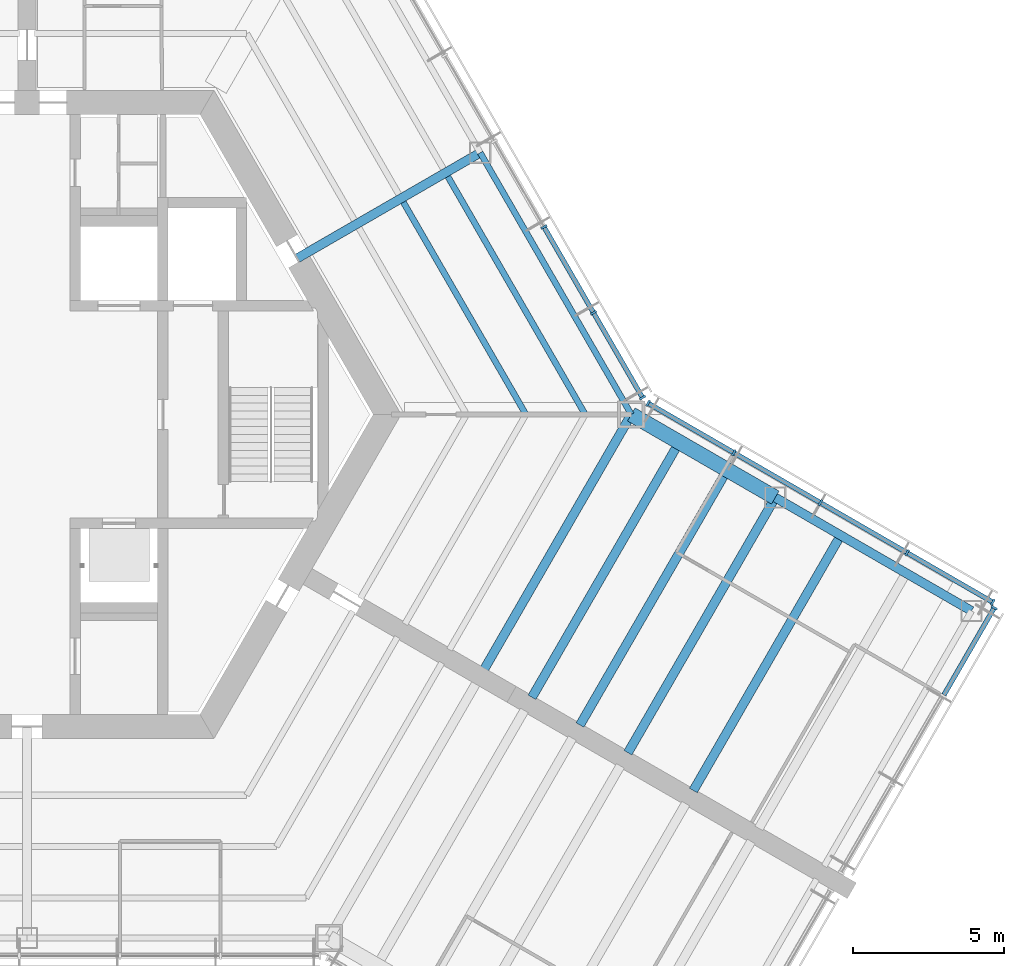
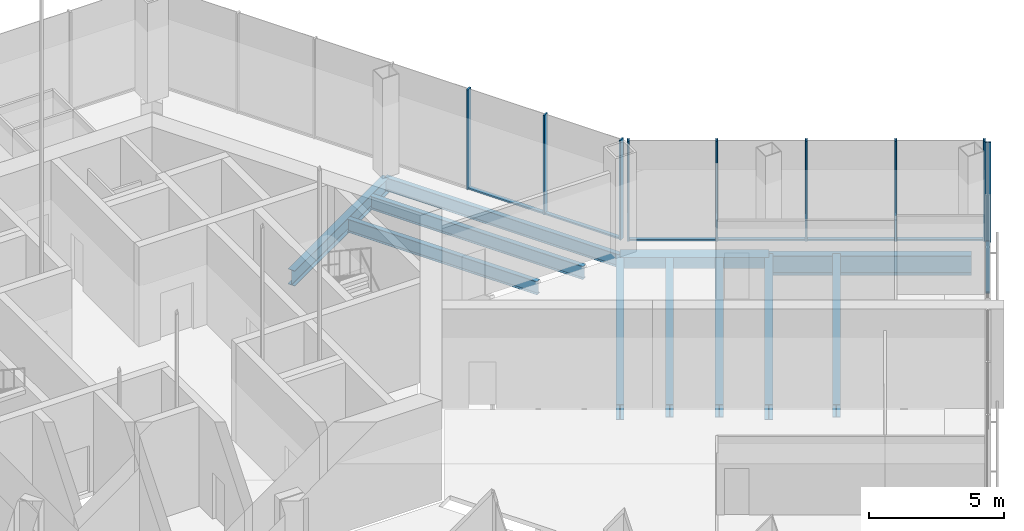
# One storey, part 4 of 17: 16 members, 11 beams, 3 elements without a shape of their own.
"""IFC4 building model written with IfcOpenShell, lengths in metres."""

from ifc_helpers import new_model, si_unit, direction, frame, origin, origin_2d, place, context, subcontext, project, spatial, rectangle, hollow_rectangle, i_section, extrude, material, material_profile, profile_set, type_object, element, aggregate, save


model = new_model("IFC4")

# Units and contexts
model_context = context("Model", 3, precision=1e-05, world=origin(), true_north=direction((0.0, 1.0)))
body_context = subcontext(model_context, "Body", "Model", "MODEL_VIEW")
ifc_project = project(units=[si_unit("LENGTHUNIT", "METRE"), si_unit("AREAUNIT", "SQUARE_METRE"), si_unit("VOLUMEUNIT", "CUBIC_METRE"), si_unit("PLANEANGLEUNIT", "RADIAN"), si_unit("MASSUNIT", "GRAM", prefix="KILO")], contexts=[model_context])

# Site, building, storey
site_placement = place(None, origin())
site = spatial("IfcSite", under=ifc_project, at=site_placement, CompositionType="ELEMENT")
building_placement = place(site_placement, origin())
building = spatial("IfcBuilding", under=site, at=building_placement, Name="Kasaneha Research Tower", CompositionType="ELEMENT")
storey_placement = place(building_placement, frame((0.0, 0.0, 208.300048828125)))
storey = spatial("IfcBuildingStorey", under=building, at=storey_placement, Name="L52", CompositionType="ELEMENT", Elevation=208.300048828125)

# Beams
ifc_material_1 = material(Name="Steel SN490B", Category="steel")
ifc_material_profile_1 = material_profile(ifc_material_1, i_section(OverallWidth=0.199951171875, OverallDepth=0.60009765625, WebThickness=0.010986328125, FlangeThickness=0.01708984375, FilletRadius=0.012939453125, at=origin_2d()), Name="H-600x200x11x17")
ifc_profile_set_1 = profile_set([ifc_material_profile_1], Name="Steel SN490B")
beam_type_1 = type_object("IfcBeamType", Name="B1-4 secondary beam H-600x200x11x17", PredefinedType="JOIST", material=ifc_profile_set_1)
beam_1_placement = place(storey_placement, frame((16.51220703125, 0.0, -0.5), z_axis=(-0.49999707157, 0.866027094508, 0.0), x_axis=(-0.866027094508, -0.49999707157, 0.0)))
element("IfcBeam", 1, at=beam_1_placement, inside=storey, type_object=beam_type_1, Name="Secondary beam RS030L2 L52", PredefinedType="JOIST", context=body_context, shape_type="SweptSolid", body=[
    extrude(i_section(OverallWidth=0.199951171875, OverallDepth=0.60009765625, WebThickness=0.010986328125, FlangeThickness=0.01708984375, FilletRadius=0.012939453125, at=origin_2d()), origin(), (0.0, 0.0, 1.0), 8.10595703125),
])
beam_2_placement = place(storey_placement, frame((18.47509765625, 0.0, -0.5), z_axis=(-0.499990665392, 0.866030793056, 0.0), x_axis=(-0.866030793056, -0.499990665392, 0.0)))
element("IfcBeam", 2, at=beam_2_placement, inside=storey, type_object=beam_type_1, Name="Secondary beam RS030L3 L52", PredefinedType="JOIST", context=body_context, shape_type="SweptSolid", body=[
    extrude(i_section(OverallWidth=0.199951171875, OverallDepth=0.60009765625, WebThickness=0.010986328125, FlangeThickness=0.01708984375, FilletRadius=0.012939453125, at=origin_2d()), origin(), (0.0, 0.0, 1.0), 9.087646484375),
])
ifc_material_2 = material(Name="Steel SN490B", Category="steel")
ifc_material_profile_2 = material_profile(ifc_material_2, i_section(OverallWidth=0.300048828125, OverallDepth=0.58203125, WebThickness=0.011962890625, FlangeThickness=0.01708984375, FilletRadius=0.012939453125, at=origin_2d()), Name="H-582x300x12x17")
ifc_profile_set_2 = profile_set([ifc_material_profile_2], Name="Steel SN490B")
beam_type_2 = type_object("IfcBeamType", Name="B2-4 secondary beam H-582x300x12x17", PredefinedType="JOIST", material=ifc_profile_set_2)
beam_3_placement = place(storey_placement, frame((21.587646484375, -0.916748046875, -0.490966796875), z_axis=(-0.500006402939, -0.866021707014, 0.0), x_axis=(0.866021707014, -0.500006402939, 0.0)))
element("IfcBeam", 3, at=beam_3_placement, inside=storey, type_object=beam_type_2, Name="Secondary beam WBCN1 L52", PredefinedType="JOIST", context=body_context, shape_type="SweptSolid", body=[
    extrude(i_section(OverallWidth=0.300048828125, OverallDepth=0.58203125, WebThickness=0.011962890625, FlangeThickness=0.01708984375, FilletRadius=0.012939453125, at=origin_2d()), origin(), (0.0, 0.0, 1.0), 9.749755859375),
])
for number, where, z_axis, x_axis, name in (
    (4, (23.175537109375, -1.833251953125, -0.490966796875), (-0.499995560238, -0.866027967067, 0.0), (0.866027967067, -0.499995560238, 0.0), "Secondary beam WBCN2 L52"),
    (5, (26.92822265625, -4.0, -0.490966796875), (-0.499995560238, -0.866027967067, 0.0), (0.866027967067, -0.499995560238, 0.0), "Secondary beam WBCN3 L52"),
):
    element("IfcBeam", number, at=place(storey_placement, frame(where, z_axis=z_axis, x_axis=x_axis)), inside=storey, type_object=beam_type_2, Name=name, PredefinedType="JOIST", context=body_context, shape_type="SweptSolid", body=[
        extrude(i_section(OverallWidth=0.300048828125, OverallDepth=0.58203125, WebThickness=0.011962890625, FlangeThickness=0.01708984375, FilletRadius=0.012939453125, at=origin_2d()), origin(), (0.0, 0.0, 1.0), 9.75),
    ])
ifc_material_3 = material(Name="Steel SN490B", Category="steel")
ifc_material_profile_3 = material_profile(ifc_material_3, hollow_rectangle(XDim=0.5, YDim=0.5, WallThickness=0.02197265625, at=origin_2d()), Name="BOX-500x500x22")
ifc_profile_set_3 = profile_set([ifc_material_profile_3], Name="Steel SN490B")
beam_type_3 = type_object("IfcBeamType", Name="BC1-4 belt chord BOX-500x500x22", PredefinedType="BEAM", material=ifc_profile_set_3)
beam_4_placement = place(storey_placement, frame((20.0, 0.0, -0.449951171875), z_axis=(0.866027397988, -0.499996545922, 0.0), x_axis=(0.499996545922, 0.866027397988, 0.0)))
element("IfcBeam", 6, at=beam_4_placement, inside=storey, type_object=beam_type_3, Name="Belt chord WSCN1 L52", PredefinedType="BEAM", context=body_context, shape_type="SweptSolid", body=[
    extrude(hollow_rectangle(XDim=0.5, YDim=0.5, WallThickness=0.02197265625, at=origin_2d()), origin(), (0.0, 0.0, 1.0), 5.5),
])

# Curtain wall, members
ifc_material_4 = material(Name="Glass and aluminium", Category="aluminium")
curtain_wall_type = type_object("IfcCurtainWallType", Name="Sky lobby curtain wall", PredefinedType="USERDEFINED", material=ifc_material_4)
curtain_wall_1_placement = place(storey_placement, origin())
curtain_wall_1 = element("IfcCurtainWall", 7, at=curtain_wall_1_placement, inside=storey, type_object=curtain_wall_type, Name="CW-S L52 run 01a", ObjectType="UNITISED CURTAIN WALL", PredefinedType="USERDEFINED")
ifc_material_5 = material(Name="Aluminium 6063-T6", Category="aluminium")
ifc_material_profile_4 = material_profile(ifc_material_5, rectangle(XDim=0.070068359375, YDim=0.219970703125, at=origin_2d()), Name="CW-S mullion 70x220")
ifc_profile_set_4 = profile_set([ifc_material_profile_4], Name="Aluminium 6063-T6")
member_type_1 = type_object("IfcMemberType", Name="CW-S mullion", PredefinedType="MULLION", material=ifc_profile_set_4)
member_1_placement = place(storey_placement, frame((20.371826171875, 0.55615234375, 0.0), z_axis=(0.0, 0.0, 1.0), x_axis=(-0.499999979232, 0.866025415775, 0.0)))
member_1 = element("IfcMember", 8, at=member_1_placement, type_object=member_type_1, Name="CW-S mullion 1", PredefinedType="MULLION", context=body_context, shape_type="SweptSolid", body=[
    extrude(rectangle(XDim=0.070068359375, YDim=0.219970703125, at=origin_2d()), origin(), (0.0, 0.0, 1.0), 4.5),
])
member_2_placement = place(storey_placement, frame((18.750244140625, 3.36474609375, 0.0), z_axis=(0.0, 0.0, 1.0), x_axis=(-0.499999979232, 0.866025415775, 0.0)))
member_2 = element("IfcMember", 9, at=member_2_placement, type_object=member_type_1, Name="CW-S mullion 2", PredefinedType="MULLION", context=body_context, shape_type="SweptSolid", body=[
    extrude(rectangle(XDim=0.070068359375, YDim=0.219970703125, at=origin_2d()), origin(), (0.0, 0.0, 1.0), 4.5),
])
member_3_placement = place(storey_placement, frame((17.111328125, 6.203369140625, 0.0), z_axis=(0.0, 0.0, 1.0), x_axis=(-0.499999979232, 0.866025415775, 0.0)))
member_3 = element("IfcMember", 10, at=member_3_placement, type_object=member_type_1, Name="CW-S mullion 3", PredefinedType="MULLION", context=body_context, shape_type="SweptSolid", body=[
    extrude(rectangle(XDim=0.070068359375, YDim=0.219970703125, at=origin_2d()), origin(), (0.0, 0.0, 1.0), 4.5),
])

# Curtain wall, member
curtain_wall_2_placement = place(storey_placement, origin())
curtain_wall_2 = element("IfcCurtainWall", 11, at=curtain_wall_2_placement, inside=storey, type_object=curtain_wall_type, Name="CW-S L52 run 08a", ObjectType="UNITISED CURTAIN WALL", PredefinedType="USERDEFINED")
member_4_placement = place(storey_placement, frame((32.010498046875, -6.397216796875, 0.0), z_axis=(0.0, 0.0, 1.0), x_axis=(0.500000011442, 0.866025397178, 0.0)))
member_4 = element("IfcMember", 12, at=member_4_placement, type_object=member_type_1, Name="CW-S mullion 4", PredefinedType="MULLION", context=body_context, shape_type="SweptSolid", body=[
    extrude(rectangle(XDim=0.070068359375, YDim=0.219970703125, at=origin_2d()), origin(), (0.0, 0.0, 1.0), 4.5),
])

# Curtain wall, members
curtain_wall_3_placement = place(storey_placement, origin())
curtain_wall_3 = element("IfcCurtainWall", 13, at=curtain_wall_3_placement, inside=storey, type_object=curtain_wall_type, Name="CW-S L52 run 09a", ObjectType="UNITISED CURTAIN WALL", PredefinedType="USERDEFINED")
member_5_placement = place(storey_placement, frame((31.9609375, -6.212890625, 0.0), z_axis=(0.0, 0.0, 1.0), x_axis=(-0.866025411464, 0.499999986699, 0.0)))
member_5 = element("IfcMember", 14, at=member_5_placement, type_object=member_type_1, Name="CW-S mullion 1", PredefinedType="MULLION", context=body_context, shape_type="SweptSolid", body=[
    extrude(rectangle(XDim=0.070068359375, YDim=0.219970703125, at=origin_2d()), origin(), (0.0, 0.0, 1.0), 4.5),
])
member_6_placement = place(storey_placement, frame((29.125, -4.575439453125, 0.0), z_axis=(0.0, 0.0, 1.0), x_axis=(-0.866025411464, 0.499999986699, 0.0)))
member_6 = element("IfcMember", 15, at=member_6_placement, type_object=member_type_1, Name="CW-S mullion 2", PredefinedType="MULLION", context=body_context, shape_type="SweptSolid", body=[
    extrude(rectangle(XDim=0.070068359375, YDim=0.219970703125, at=origin_2d()), origin(), (0.0, 0.0, 1.0), 4.5),
])
member_7_placement = place(storey_placement, frame((26.258544921875, -2.920654296875, 0.0), z_axis=(0.0, 0.0, 1.0), x_axis=(-0.866025411464, 0.499999986699, 0.0)))
member_7 = element("IfcMember", 16, at=member_7_placement, type_object=member_type_1, Name="CW-S mullion 3", PredefinedType="MULLION", context=body_context, shape_type="SweptSolid", body=[
    extrude(rectangle(XDim=0.070068359375, YDim=0.219970703125, at=origin_2d()), origin(), (0.0, 0.0, 1.0), 4.5),
])
member_8_placement = place(storey_placement, frame((23.39208984375, -1.265625, 0.0), z_axis=(0.0, 0.0, 1.0), x_axis=(-0.866025411464, 0.499999986699, 0.0)))
member_8 = element("IfcMember", 17, at=member_8_placement, type_object=member_type_1, Name="CW-S mullion 4", PredefinedType="MULLION", context=body_context, shape_type="SweptSolid", body=[
    extrude(rectangle(XDim=0.070068359375, YDim=0.219970703125, at=origin_2d()), origin(), (0.0, 0.0, 1.0), 4.5),
])
member_9_placement = place(storey_placement, frame((20.55615234375, 0.371826171875, 0.0), z_axis=(0.0, 0.0, 1.0), x_axis=(-0.866025411464, 0.499999986699, 0.0)))
member_9 = element("IfcMember", 18, at=member_9_placement, type_object=member_type_1, Name="CW-S mullion 5", PredefinedType="MULLION", context=body_context, shape_type="SweptSolid", body=[
    extrude(rectangle(XDim=0.070068359375, YDim=0.219970703125, at=origin_2d()), origin(), (0.0, 0.0, 1.0), 4.5),
])

# Member
ifc_material_6 = material(Name="Aluminium 6063-T6", Category="aluminium")
ifc_material_profile_5 = material_profile(ifc_material_6, rectangle(XDim=0.159912109375, YDim=0.070068359375, at=origin_2d()), Name="CW-S transom 160x70")
ifc_profile_set_5 = profile_set([ifc_material_profile_5], Name="Aluminium 6063-T6")
member_type_2 = type_object("IfcMemberType", Name="CW-S transom", PredefinedType="USERDEFINED", material=ifc_profile_set_5)
member_10_placement = place(storey_placement, frame((20.354248046875, 0.58642578125, 0.034912109375), z_axis=(-0.499995540215, 0.866027978627, 0.0), x_axis=(-0.866027978627, -0.499995540215, 0.0)))
member_10 = element("IfcMember", 19, at=member_10_placement, type_object=member_type_2, Name="CW-S transom 1", ObjectType="TRANSOM", PredefinedType="USERDEFINED", context=body_context, shape_type="SweptSolid", body=[
    extrude(rectangle(XDim=0.159912109375, YDim=0.070068359375, at=origin_2d()), origin(), (0.0, 0.0, 1.0), 3.1728515625),
])

member_11_placement = place(storey_placement, frame((18.732666015625, 3.39501953125, 0.034912109375), z_axis=(-0.500018909665, 0.866014486009, 0.0), x_axis=(-0.866014486009, -0.500018909665, 0.0)))
member_11 = element("IfcMember", 20, at=member_11_placement, type_object=member_type_2, Name="CW-S transom 2", ObjectType="TRANSOM", PredefinedType="USERDEFINED", context=body_context, shape_type="SweptSolid", body=[
    extrude(rectangle(XDim=0.159912109375, YDim=0.070068359375, at=origin_2d()), origin(), (0.0, 0.0, 1.0), 3.2080078125),
])

aggregate(curtain_wall_1, [member_1, member_2, member_3, member_10, member_11])

member_12_placement = place(storey_placement, frame((30.345458984375, -9.28125, 0.034912109375), z_axis=(0.499964030578, 0.866046169744, 0.0), x_axis=(-0.866046169744, 0.499964030578, 0.0)))
member_12 = element("IfcMember", 21, at=member_12_placement, type_object=member_type_2, Name="CW-S transom 3", ObjectType="TRANSOM", PredefinedType="USERDEFINED", context=body_context, shape_type="SweptSolid", body=[
    extrude(rectangle(XDim=0.159912109375, YDim=0.070068359375, at=origin_2d()), origin(), (0.0, 0.0, 1.0), 3.295166015625),
])

aggregate(curtain_wall_2, [member_4, member_12])

member_13_placement = place(storey_placement, frame((31.9306640625, -6.1953125, 0.034912109375), z_axis=(-0.866035889079, 0.499981838497, 0.0), x_axis=(-0.499981838497, -0.866035889079, 0.0)))
member_13 = element("IfcMember", 22, at=member_13_placement, type_object=member_type_2, Name="CW-S transom 1", ObjectType="TRANSOM", PredefinedType="USERDEFINED", context=body_context, shape_type="SweptSolid", body=[
    extrude(rectangle(XDim=0.159912109375, YDim=0.070068359375, at=origin_2d()), origin(), (0.0, 0.0, 1.0), 3.20458984375),
])

member_14_placement = place(storey_placement, frame((29.0947265625, -4.557861328125, 0.034912109375), z_axis=(-0.866041282123, 0.499972496902, 0.0), x_axis=(-0.499972496902, -0.866041282123, 0.0)))
member_14 = element("IfcMember", 23, at=member_14_placement, type_object=member_type_2, Name="CW-S transom 2", ObjectType="TRANSOM", PredefinedType="USERDEFINED", context=body_context, shape_type="SweptSolid", body=[
    extrude(rectangle(XDim=0.159912109375, YDim=0.070068359375, at=origin_2d()), origin(), (0.0, 0.0, 1.0), 3.239990234375),
])

member_15_placement = place(storey_placement, frame((26.228271484375, -2.903076171875, 0.034912109375), z_axis=(-0.866022443901, 0.500005126634, 0.0), x_axis=(-0.500005126634, -0.866022443901, 0.0)))
member_15 = element("IfcMember", 24, at=member_15_placement, type_object=member_type_2, Name="CW-S transom 3", ObjectType="TRANSOM", PredefinedType="USERDEFINED", context=body_context, shape_type="SweptSolid", body=[
    extrude(rectangle(XDim=0.159912109375, YDim=0.070068359375, at=origin_2d()), origin(), (0.0, 0.0, 1.0), 3.23974609375),
])

member_16_placement = place(storey_placement, frame((23.36181640625, -1.248291015625, 0.034912109375), z_axis=(-0.866002901518, 0.500038973044, 0.0), x_axis=(-0.500038973044, -0.866002901518, 0.0)))
member_16 = element("IfcMember", 25, at=member_16_placement, type_object=member_type_2, Name="CW-S transom 4", ObjectType="TRANSOM", PredefinedType="USERDEFINED", context=body_context, shape_type="SweptSolid", body=[
    extrude(rectangle(XDim=0.159912109375, YDim=0.070068359375, at=origin_2d()), origin(), (0.0, 0.0, 1.0), 3.204833984375),
])

aggregate(curtain_wall_3, [member_5, member_6, member_7, member_8, member_9, member_13, member_14, member_15, member_16])

# Beams
ifc_material_7 = material(Name="Steel SN490B", Category="steel")
ifc_material_profile_6 = material_profile(ifc_material_7, i_section(OverallWidth=0.300048828125, OverallDepth=0.69189453125, WebThickness=0.012939453125, FlangeThickness=0.02001953125, FilletRadius=0.01806640625, at=origin_2d()), Name="H-692x300x13x20")
ifc_profile_set_6 = profile_set([ifc_material_profile_6], Name="Steel SN490B")
beam_type_4 = type_object("IfcBeamType", Name="G2-4 radial girder H-692x300x13x20", PredefinedType="BEAM", material=ifc_profile_set_6)
beam_5_placement = place(storey_placement, frame((8.941650390625, 5.16259765625, -0.546142578125), z_axis=(0.866039713508, 0.499975214012, 0.0), x_axis=(-0.499975214012, 0.866039713508, 0.0)))
element("IfcBeam", 26, at=beam_5_placement, inside=storey, type_object=beam_type_4, Name="Radial girder RM030 L52", PredefinedType="BEAM", context=body_context, shape_type="SweptSolid", body=[
    extrude(i_section(OverallWidth=0.300048828125, OverallDepth=0.69189453125, WebThickness=0.012939453125, FlangeThickness=0.02001953125, FilletRadius=0.01806640625, at=origin_2d()), origin(), (0.0, 0.0, 1.0), 6.995361328125),
])
ifc_material_8 = material(Name="Steel SN490B", Category="steel")
ifc_material_profile_7 = material_profile(ifc_material_8, i_section(OverallWidth=0.300048828125, OverallDepth=0.69189453125, WebThickness=0.012939453125, FlangeThickness=0.02001953125, FilletRadius=0.01806640625, at=origin_2d()), Name="H-692x300x13x20")
ifc_profile_set_7 = profile_set([ifc_material_profile_7], Name="Steel SN490B")
beam_type_5 = type_object("IfcBeamType", Name="G3-4 plate edge girder H-692x300x13x20", PredefinedType="BEAM", material=ifc_profile_set_7)
beam_6_placement = place(storey_placement, frame((20.0, 0.0, -0.546142578125), z_axis=(-0.499995560238, -0.866027967067, 0.0), x_axis=(0.866027967067, -0.499995560238, 0.0)))
element("IfcBeam", 27, at=beam_6_placement, inside=storey, type_object=beam_type_5, Name="Plate edge girder PECN L52", PredefinedType="BEAM", context=body_context, shape_type="SweptSolid", body=[
    extrude(i_section(OverallWidth=0.300048828125, OverallDepth=0.69189453125, WebThickness=0.012939453125, FlangeThickness=0.02001953125, FilletRadius=0.01806640625, at=origin_2d()), origin(), (0.0, 0.0, 1.0), 9.75),
])
ifc_material_9 = material(Name="Steel SN490B", Category="steel")
ifc_material_profile_8 = material_profile(ifc_material_9, i_section(OverallWidth=0.300048828125, OverallDepth=0.699951171875, WebThickness=0.012939453125, FlangeThickness=0.02392578125, FilletRadius=0.01806640625, at=origin_2d()), Name="H-700x300x13x24")
ifc_profile_set_8 = profile_set([ifc_material_profile_8], Name="Steel SN490B")
beam_type_6 = type_object("IfcBeamType", Name="G4-4 wing girder H-700x300x13x24", PredefinedType="BEAM", material=ifc_profile_set_8)
beam_7_placement = place(storey_placement, frame((24.76318359375, -2.75, -0.550048828125), z_axis=(-0.499995560238, -0.866027967067, 0.0), x_axis=(0.866027967067, -0.499995560238, 0.0)))
element("IfcBeam", 28, at=beam_7_placement, inside=storey, type_object=beam_type_6, Name="Wing girder WGCN L52", PredefinedType="BEAM", context=body_context, shape_type="SweptSolid", body=[
    extrude(i_section(OverallWidth=0.300048828125, OverallDepth=0.699951171875, WebThickness=0.012939453125, FlangeThickness=0.02392578125, FilletRadius=0.01806640625, at=origin_2d()), origin(), (0.0, 0.0, 1.0), 9.75),
])
ifc_material_10 = material(Name="Steel SN490B", Category="steel")
ifc_material_profile_9 = material_profile(ifc_material_10, i_section(OverallWidth=0.198974609375, OverallDepth=0.595947265625, WebThickness=0.010009765625, FlangeThickness=0.014892578125, FilletRadius=0.012939453125, at=origin_2d()), Name="H-596x199x10x15")
ifc_profile_set_9 = profile_set([ifc_material_profile_9], Name="Steel SN490B")
beam_type_7 = type_object("IfcBeamType", Name="SB1-4 spandrel beam H-596x199x10x15", PredefinedType="SPANDREL", material=ifc_profile_set_9)
beam_8_placement = place(storey_placement, frame((20.0, 0.0, -0.498046875), z_axis=(-0.500004234368, 0.866022959057, 0.0), x_axis=(-0.866022959057, -0.500004234368, 0.0)))
element("IfcBeam", 29, at=beam_8_placement, inside=storey, type_object=beam_type_7, Name="Spandrel beam SR030L L52", PredefinedType="SPANDREL", context=body_context, shape_type="SweptSolid", body=[
    extrude(i_section(OverallWidth=0.198974609375, OverallDepth=0.595947265625, WebThickness=0.010009765625, FlangeThickness=0.014892578125, FilletRadius=0.012939453125, at=origin_2d()), origin(), (0.0, 0.0, 1.0), 10.0),
])
ifc_material_11 = material(Name="Steel SN490B", Category="steel")
ifc_material_profile_10 = material_profile(ifc_material_11, i_section(OverallWidth=0.300048828125, OverallDepth=0.89990234375, WebThickness=0.01611328125, FlangeThickness=0.028076171875, FilletRadius=0.01806640625, at=origin_2d()), Name="H-900x300x16x28")
ifc_profile_set_10 = profile_set([ifc_material_profile_10], Name="Steel SN490B")
beam_type_8 = type_object("IfcBeamType", Name="SB2-4 spandrel beam H-900x300x16x28", PredefinedType="SPANDREL", material=ifc_profile_set_10)
beam_9_placement = place(storey_placement, frame((24.76318359375, -2.75, -0.650146484375), z_axis=(0.866022959057, -0.500004234368, 0.0), x_axis=(0.500004234368, 0.866022959057, 0.0)))
element("IfcBeam", 30, at=beam_9_placement, inside=storey, type_object=beam_type_8, Name="Spandrel beam WSCN2 L52", PredefinedType="SPANDREL", context=body_context, shape_type="SweptSolid", body=[
    extrude(i_section(OverallWidth=0.300048828125, OverallDepth=0.89990234375, WebThickness=0.01611328125, FlangeThickness=0.028076171875, FilletRadius=0.01806640625, at=origin_2d()), origin(), (0.0, 0.0, 1.0), 7.5),
])

save(model, "model.ifc")
